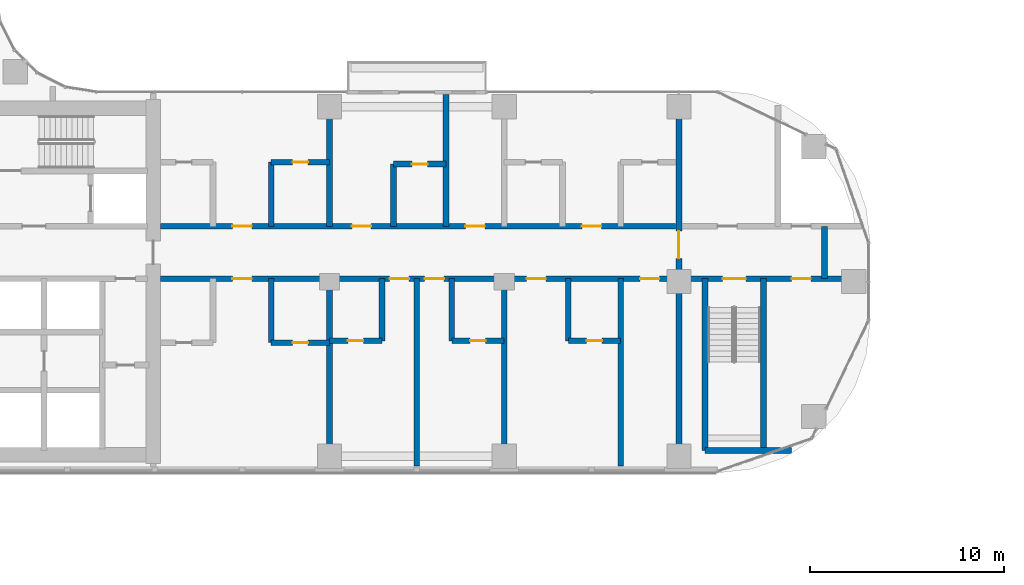
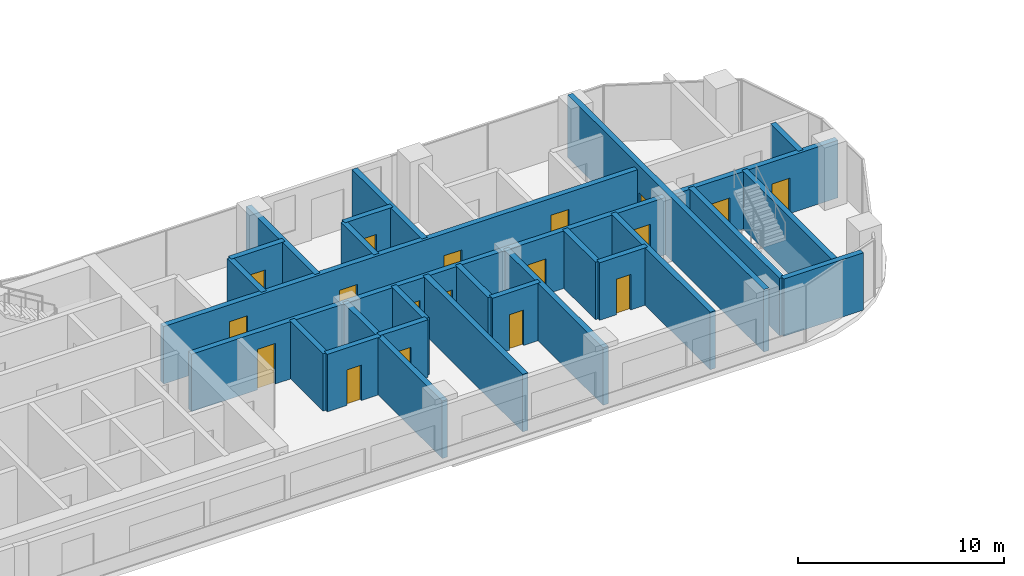
# One storey, part 20 of 35: 26 walls, 18 doors, 18 openings.
"""IFC4 building model written with IfcOpenShell, lengths in metres."""

from ifc_helpers import new_model, si_unit, direction, frame, frame_2d, origin, place, context, subcontext, project, spatial, rectangle, extrude, material, layer, layer_set, type_object, element, fill, save


model = new_model("IFC4")

# Units and contexts
model_context = context("Model", 3, precision=1e-05, world=origin(), true_north=direction((0.0, 1.0)))
body_context = subcontext(model_context, "Body", "Model", "MODEL_VIEW")
ifc_project = project(units=[si_unit("LENGTHUNIT", "METRE"), si_unit("AREAUNIT", "SQUARE_METRE"), si_unit("VOLUMEUNIT", "CUBIC_METRE"), si_unit("PLANEANGLEUNIT", "RADIAN"), si_unit("MASSUNIT", "GRAM", prefix="KILO")], contexts=[model_context])

# Site, building, storey
site_placement = place(None, origin())
site = spatial("IfcSite", under=ifc_project, at=site_placement, CompositionType="ELEMENT")
building_placement = place(site_placement, origin())
building = spatial("IfcBuilding", under=site, at=building_placement, Name="Ogive Portal Towers", CompositionType="ELEMENT")
storey_placement = place(building_placement, frame((0.0, 0.0, 90.800048828125)))
storey = spatial("IfcBuildingStorey", under=building, at=storey_placement, Name="L21", CompositionType="ELEMENT", Elevation=90.800048828125)

# Wall, opening, door
ifc_material_1 = material(Name="Concrete C60/75", Category="concrete")
ifc_layer_1 = layer(ifc_material_1, 0.300048828125)
ifc_layer_set_1 = layer_set([ifc_layer_1], Name="REVEAL WALL 300 C60")
wall_type_1 = type_object("IfcWallType", Name="REVEAL WALL 300 C60", PredefinedType="SHEAR", material=ifc_layer_set_1)
wall_1_placement = place(storey_placement, frame((85.5, 20.9951171875, 0.0), z_axis=(0.0, 0.0, 1.0), x_axis=(0.0, 1.0, 0.0)))
wall_1 = element("IfcWall", 1, at=wall_1_placement, inside=storey, type_object=wall_type_1, Name="Portal reveal wall L21", PredefinedType="SHEAR", context=body_context, shape_type="SweptSolid", body=[
    extrude(rectangle(XDim=19.009765625, YDim=0.300048828125, at=frame_2d((9.5048828125, 0.0))), origin(), (0.0, 0.0, 1.0), 3.699951171875),
])
opening_1_placement = place(wall_1_placement, frame((10.705078125, 0.0, 0.0)))
opening_1 = element("IfcOpeningElement", 2, at=opening_1_placement, cuts=wall_1, Name="Opening D07-066", PredefinedType="OPENING", context=body_context, shape_type="SweptSolid", body=[
    extrude(rectangle(XDim=1.39990234375, YDim=2.10009765625, at=frame_2d((0.699951171875, 1.050048828125))), frame((0.0, 0.16015625, 0.0), z_axis=(0.0, -1.0, 0.0), x_axis=(1.0, 0.0, 0.0)), (0.0, 0.0, 1.0), 0.320068359375),
])
ifc_material_2 = material(Name="Steel fire door", Category="steel")
door_type_1 = type_object("IfcDoorType", Name="DT-STAIR-1400x2100-FD90S", OperationType="SINGLE_SWING_LEFT", PredefinedType="DOOR", material=ifc_material_2)
door_1_placement = place(opening_1_placement, origin())
door_1 = element("IfcDoor", 3, at=door_1_placement, inside=storey, type_object=door_type_1, Name="Door D07-066", OperationType="SINGLE_SWING_RIGHT", OverallHeight=2.10009765625, OverallWidth=1.39990234375, PredefinedType="DOOR", context=body_context, shape_type="SweptSolid", body=[
    extrude(rectangle(XDim=1.39990234375, YDim=2.10009765625, at=frame_2d((0.699951171875, 1.050048828125))), frame((0.0, 0.02490234375, 0.0), z_axis=(0.0, -1.0, 0.0), x_axis=(1.0, 0.0, 0.0)), (0.0, 0.0, 1.0), 0.050048828125),
])
fill(opening_1, door_1)

# Wall
ifc_material_3 = material(Name="Concrete C50/60", Category="concrete")
ifc_layer_2 = layer(ifc_material_3, 0.300048828125)
ifc_layer_set_2 = layer_set([ifc_layer_2], Name="STAIR WALL 300 C50")
wall_type_2 = type_object("IfcWallType", Name="STAIR WALL 300 C50", PredefinedType="SHEAR", material=ifc_layer_set_2)
wall_2_placement = place(storey_placement, frame((86.85009765625, 21.800048828125, 0.0), z_axis=(0.0, 0.0, 1.0), x_axis=(1.0, 0.0, 0.0)))
element("IfcWall", 4, at=wall_2_placement, inside=storey, type_object=wall_type_2, Name="Stair wall ST-A4 L21", PredefinedType="SHEAR", context=body_context, shape_type="SweptSolid", body=[
    extrude(rectangle(XDim=4.4599609375, YDim=0.300048828125, at=frame_2d((2.22998046875, 0.0))), origin(), (0.0, 0.0, 1.0), 3.39990234375),
])

# Wall, openings, doors
wall_3_placement = place(storey_placement, frame((85.669921875, 30.64990234375, 0.0), z_axis=(0.0, 0.0, 1.0), x_axis=(1.0, 0.0, 0.0)))
wall_3 = element("IfcWall", 5, at=wall_3_placement, inside=storey, type_object=wall_type_2, Name="Stair wall ST-A4 L21", PredefinedType="SHEAR", context=body_context, shape_type="SweptSolid", body=[
    extrude(rectangle(XDim=9.3349609375, YDim=0.300048828125, at=frame_2d((4.66748046875, 0.0))), origin(), (0.0, 0.0, 1.0), 3.39990234375),
])
opening_2_placement = place(wall_3_placement, frame((2.080078125, 0.0, 0.0)))
opening_2 = element("IfcOpeningElement", 6, at=opening_2_placement, cuts=wall_3, Name="Opening D07-061", PredefinedType="OPENING", context=body_context, shape_type="SweptSolid", body=[
    extrude(rectangle(XDim=1.199951171875, YDim=2.10009765625, at=frame_2d((0.60009765625, 1.050048828125))), frame((0.0, 0.16015625, 0.0), z_axis=(0.0, -1.0, 0.0), x_axis=(1.0, 0.0, 0.0)), (0.0, 0.0, 1.0), 0.320068359375),
])
opening_3_placement = place(wall_3_placement, frame((5.6298828125, 0.0, 0.0)))
opening_3 = element("IfcOpeningElement", 7, at=opening_3_placement, cuts=wall_3, Name="Opening D07-064", PredefinedType="OPENING", context=body_context, shape_type="SweptSolid", body=[
    extrude(rectangle(XDim=1.0, YDim=2.10009765625, at=frame_2d((0.5, 1.050048828125))), frame((0.0, 0.16015625, 0.0), z_axis=(0.0, -1.0, 0.0), x_axis=(1.0, 0.0, 0.0)), (0.0, 0.0, 1.0), 0.320068359375),
])
door_type_2 = type_object("IfcDoorType", Name="DT-SERVICE-1000x2100-FD90S", OperationType="SINGLE_SWING_LEFT", PredefinedType="DOOR", material=ifc_material_2)
door_2_placement = place(opening_3_placement, origin())
door_2 = element("IfcDoor", 8, at=door_2_placement, inside=storey, type_object=door_type_2, Name="Door D07-064", OperationType="SINGLE_SWING_LEFT", OverallHeight=2.10009765625, OverallWidth=1.0, PredefinedType="DOOR", context=body_context, shape_type="SweptSolid", body=[
    extrude(rectangle(XDim=1.0, YDim=2.10009765625, at=frame_2d((0.5, 1.050048828125))), frame((0.0, 0.02490234375, 0.0), z_axis=(0.0, -1.0, 0.0), x_axis=(1.0, 0.0, 0.0)), (0.0, 0.0, 1.0), 0.050048828125),
])
fill(opening_3, door_2)
door_type_3 = type_object("IfcDoorType", Name="DT-STAIR-1200x2100-FD90S", OperationType="SINGLE_SWING_LEFT", PredefinedType="DOOR", material=ifc_material_2)
door_3_placement = place(opening_2_placement, origin())
door_3 = element("IfcDoor", 9, at=door_3_placement, inside=storey, type_object=door_type_3, Name="Door D07-061", OperationType="SINGLE_SWING_LEFT", OverallHeight=2.10009765625, OverallWidth=1.199951171875, PredefinedType="DOOR", context=body_context, shape_type="SweptSolid", body=[
    extrude(rectangle(XDim=1.199951171875, YDim=2.10009765625, at=frame_2d((0.60009765625, 1.050048828125))), frame((0.0, 0.02490234375, 0.0), z_axis=(0.0, -1.0, 0.0), x_axis=(1.0, 0.0, 0.0)), (0.0, 0.0, 1.0), 0.050048828125),
])
fill(opening_2, door_3)

# Walls
for number, where, z_axis, x_axis, name in (
    (10, (86.85009765625, 21.800048828125, 0.0), (0.0, 0.0, 1.0), (0.0, 1.0, 0.0), "Stair wall ST-A4 L21"),
    (11, (89.85009765625, 21.800048828125, 0.0), (0.0, 0.0, 1.0), (0.0, 1.0, 0.0), "Stair wall ST-A4 L21"),
):
    element("IfcWall", number, at=place(storey_placement, frame(where, z_axis=z_axis, x_axis=x_axis)), inside=storey, type_object=wall_type_2, Name=name, PredefinedType="SHEAR", context=body_context, shape_type="SweptSolid", body=[
        extrude(rectangle(XDim=8.849853515625, YDim=0.300048828125, at=frame_2d((4.4248046875, 0.0))), origin(), (0.0, 0.0, 1.0), 3.39990234375),
    ])

# Wall, openings, doors
ifc_material_4 = material(Name="Gypsum board partition on steel studs", Category="steel")
ifc_layer_3 = layer(ifc_material_4, 0.300048828125)
ifc_layer_set_3 = layer_set([ifc_layer_3], Name="WT-PART-300-EI 120")
wall_type_3 = type_object("IfcWallType", Name="WT-PART-300-EI 120", PredefinedType="PARTITIONING", material=ifc_layer_set_3)
wall_4_placement = place(storey_placement, frame((58.800048828125, 30.64990234375, 0.0), z_axis=(0.0, 0.0, 1.0), x_axis=(1.0, 0.0, 0.0)))
wall_4 = element("IfcWall", 12, at=wall_4_placement, inside=storey, type_object=wall_type_3, Name="Wall L21:w007", PredefinedType="PARTITIONING", context=body_context, shape_type="SweptSolid", body=[
    extrude(rectangle(XDim=26.530029296875, YDim=0.300048828125, at=frame_2d((13.26513671875, 0.0))), origin(), (0.0, 0.0, 1.0), 3.39990234375),
])
opening_4_placement = place(wall_4_placement, frame((3.699951171875, 0.0, 0.0)))
opening_4 = element("IfcOpeningElement", 13, at=opening_4_placement, cuts=wall_4, Name="Opening D07-031", PredefinedType="OPENING", context=body_context, shape_type="SweptSolid", body=[
    extrude(rectangle(XDim=1.0, YDim=2.39990234375, at=frame_2d((0.5, 1.199951171875))), frame((0.0, 0.16015625, 0.0), z_axis=(0.0, -1.0, 0.0), x_axis=(1.0, 0.0, 0.0)), (0.0, 0.0, 1.0), 0.320068359375),
])
opening_5_placement = place(wall_4_placement, frame((11.800048828125, 0.0, 0.0)))
opening_5 = element("IfcOpeningElement", 14, at=opening_5_placement, cuts=wall_4, Name="Opening D07-036", PredefinedType="OPENING", context=body_context, shape_type="SweptSolid", body=[
    extrude(rectangle(XDim=1.0, YDim=2.10009765625, at=frame_2d((0.5, 1.050048828125))), frame((0.0, 0.16015625, 0.0), z_axis=(0.0, -1.0, 0.0), x_axis=(1.0, 0.0, 0.0)), (0.0, 0.0, 1.0), 0.320068359375),
])
opening_6_placement = place(wall_4_placement, frame((13.60009765625, 0.0, 0.0)))
opening_6 = element("IfcOpeningElement", 15, at=opening_6_placement, cuts=wall_4, Name="Opening D07-038", PredefinedType="OPENING", context=body_context, shape_type="SweptSolid", body=[
    extrude(rectangle(XDim=1.0, YDim=2.10009765625, at=frame_2d((0.5, 1.050048828125))), frame((0.0, 0.16015625, 0.0), z_axis=(0.0, -1.0, 0.0), x_axis=(1.0, 0.0, 0.0)), (0.0, 0.0, 1.0), 0.320068359375),
])
opening_7_placement = place(wall_4_placement, frame((18.85009765625, 0.0, 0.0)))
opening_7 = element("IfcOpeningElement", 16, at=opening_7_placement, cuts=wall_4, Name="Opening D07-043", PredefinedType="OPENING", context=body_context, shape_type="SweptSolid", body=[
    extrude(rectangle(XDim=1.0, YDim=2.10009765625, at=frame_2d((0.5, 1.050048828125))), frame((0.0, 0.16015625, 0.0), z_axis=(0.0, -1.0, 0.0), x_axis=(1.0, 0.0, 0.0)), (0.0, 0.0, 1.0), 0.320068359375),
])
opening_8_placement = place(wall_4_placement, frame((24.699951171875, 0.0, 0.0)))
opening_8 = element("IfcOpeningElement", 17, at=opening_8_placement, cuts=wall_4, Name="Opening D07-044", PredefinedType="OPENING", context=body_context, shape_type="SweptSolid", body=[
    extrude(rectangle(XDim=1.0, YDim=2.10009765625, at=frame_2d((0.5, 1.050048828125))), frame((0.0, 0.16015625, 0.0), z_axis=(0.0, -1.0, 0.0), x_axis=(1.0, 0.0, 0.0)), (0.0, 0.0, 1.0), 0.320068359375),
])
door_type_4 = type_object("IfcDoorType", Name="DT-ENTRY-1000x2100-FD90S", OperationType="SINGLE_SWING_LEFT", PredefinedType="DOOR", material=ifc_material_2)
door_4_placement = place(opening_5_placement, origin())
door_4 = element("IfcDoor", 18, at=door_4_placement, inside=storey, type_object=door_type_4, Name="Door D07-036", OperationType="SINGLE_SWING_LEFT", OverallHeight=2.10009765625, OverallWidth=1.0, PredefinedType="DOOR", context=body_context, shape_type="SweptSolid", body=[
    extrude(rectangle(XDim=1.0, YDim=2.10009765625, at=frame_2d((0.5, 1.050048828125))), frame((0.0, 0.02490234375, 0.0), z_axis=(0.0, -1.0, 0.0), x_axis=(1.0, 0.0, 0.0)), (0.0, 0.0, 1.0), 0.050048828125),
])
fill(opening_5, door_4)
door_5_placement = place(opening_6_placement, origin())
door_5 = element("IfcDoor", 19, at=door_5_placement, inside=storey, type_object=door_type_4, Name="Door D07-038", OperationType="SINGLE_SWING_RIGHT", OverallHeight=2.10009765625, OverallWidth=1.0, PredefinedType="DOOR", context=body_context, shape_type="SweptSolid", body=[
    extrude(rectangle(XDim=1.0, YDim=2.10009765625, at=frame_2d((0.5, 1.050048828125))), frame((0.0, 0.02490234375, 0.0), z_axis=(0.0, -1.0, 0.0), x_axis=(1.0, 0.0, 0.0)), (0.0, 0.0, 1.0), 0.050048828125),
])
fill(opening_6, door_5)
door_6_placement = place(opening_7_placement, origin())
door_6 = element("IfcDoor", 20, at=door_6_placement, inside=storey, type_object=door_type_4, Name="Door D07-043", OperationType="SINGLE_SWING_LEFT", OverallHeight=2.10009765625, OverallWidth=1.0, PredefinedType="DOOR", context=body_context, shape_type="SweptSolid", body=[
    extrude(rectangle(XDim=1.0, YDim=2.10009765625, at=frame_2d((0.5, 1.050048828125))), frame((0.0, 0.02490234375, 0.0), z_axis=(0.0, -1.0, 0.0), x_axis=(1.0, 0.0, 0.0)), (0.0, 0.0, 1.0), 0.050048828125),
])
fill(opening_7, door_6)
door_7_placement = place(opening_8_placement, origin())
door_7 = element("IfcDoor", 21, at=door_7_placement, inside=storey, type_object=door_type_4, Name="Door D07-044", OperationType="SINGLE_SWING_LEFT", OverallHeight=2.10009765625, OverallWidth=1.0, PredefinedType="DOOR", context=body_context, shape_type="SweptSolid", body=[
    extrude(rectangle(XDim=1.0, YDim=2.10009765625, at=frame_2d((0.5, 1.050048828125))), frame((0.0, 0.02490234375, 0.0), z_axis=(0.0, -1.0, 0.0), x_axis=(1.0, 0.0, 0.0)), (0.0, 0.0, 1.0), 0.050048828125),
])
fill(opening_8, door_7)
door_type_5 = type_object("IfcDoorType", Name="DT-ENTRY-1000x2400-FD90S", OperationType="SINGLE_SWING_LEFT", PredefinedType="DOOR", material=ifc_material_2)
door_8_placement = place(opening_4_placement, origin())
door_8 = element("IfcDoor", 22, at=door_8_placement, inside=storey, type_object=door_type_5, Name="Door D07-031", OperationType="SINGLE_SWING_LEFT", OverallHeight=2.39990234375, OverallWidth=1.0, PredefinedType="DOOR", context=body_context, shape_type="SweptSolid", body=[
    extrude(rectangle(XDim=1.0, YDim=2.39990234375, at=frame_2d((0.5, 1.199951171875))), frame((0.0, 0.02490234375, 0.0), z_axis=(0.0, -1.0, 0.0), x_axis=(1.0, 0.0, 0.0)), (0.0, 0.0, 1.0), 0.050048828125),
])
fill(opening_4, door_8)

wall_5_placement = place(storey_placement, frame((58.800048828125, 33.35009765625, 0.0), z_axis=(0.0, 0.0, 1.0), x_axis=(1.0, 0.0, 0.0)))
wall_5 = element("IfcWall", 23, at=wall_5_placement, inside=storey, type_object=wall_type_3, Name="Wall L21:w009", PredefinedType="PARTITIONING", context=body_context, shape_type="SweptSolid", body=[
    extrude(rectangle(XDim=26.530029296875, YDim=0.300048828125, at=frame_2d((13.26513671875, 0.0))), origin(), (0.0, 0.0, 1.0), 3.39990234375),
])
opening_9_placement = place(wall_5_placement, frame((3.699951171875, 0.0, 0.0)))
opening_9 = element("IfcOpeningElement", 24, at=opening_9_placement, cuts=wall_5, Name="Opening D07-028", PredefinedType="OPENING", context=body_context, shape_type="SweptSolid", body=[
    extrude(rectangle(XDim=1.0, YDim=2.39990234375, at=frame_2d((0.5, 1.199951171875))), frame((0.0, 0.16015625, 0.0), z_axis=(0.0, -1.0, 0.0), x_axis=(1.0, 0.0, 0.0)), (0.0, 0.0, 1.0), 0.320068359375),
])
opening_10_placement = place(wall_5_placement, frame((9.85009765625, 0.0, 0.0)))
opening_10 = element("IfcOpeningElement", 25, at=opening_10_placement, cuts=wall_5, Name="Opening D07-033", PredefinedType="OPENING", context=body_context, shape_type="SweptSolid", body=[
    extrude(rectangle(XDim=1.0, YDim=2.10009765625, at=frame_2d((0.5, 1.050048828125))), frame((0.0, 0.16015625, 0.0), z_axis=(0.0, -1.0, 0.0), x_axis=(1.0, 0.0, 0.0)), (0.0, 0.0, 1.0), 0.320068359375),
])
opening_11_placement = place(wall_5_placement, frame((15.699951171875, 0.0, 0.0)))
opening_11 = element("IfcOpeningElement", 26, at=opening_11_placement, cuts=wall_5, Name="Opening D07-034", PredefinedType="OPENING", context=body_context, shape_type="SweptSolid", body=[
    extrude(rectangle(XDim=1.0, YDim=2.10009765625, at=frame_2d((0.5, 1.050048828125))), frame((0.0, 0.16015625, 0.0), z_axis=(0.0, -1.0, 0.0), x_axis=(1.0, 0.0, 0.0)), (0.0, 0.0, 1.0), 0.320068359375),
])
opening_12_placement = place(wall_5_placement, frame((21.699951171875, 0.0, 0.0)))
opening_12 = element("IfcOpeningElement", 27, at=opening_12_placement, cuts=wall_5, Name="Opening D07-041", PredefinedType="OPENING", context=body_context, shape_type="SweptSolid", body=[
    extrude(rectangle(XDim=1.0, YDim=2.39990234375, at=frame_2d((0.5, 1.199951171875))), frame((0.0, 0.16015625, 0.0), z_axis=(0.0, -1.0, 0.0), x_axis=(1.0, 0.0, 0.0)), (0.0, 0.0, 1.0), 0.320068359375),
])
door_9_placement = place(opening_10_placement, origin())
door_9 = element("IfcDoor", 28, at=door_9_placement, inside=storey, type_object=door_type_4, Name="Door D07-033", OperationType="SINGLE_SWING_LEFT", OverallHeight=2.10009765625, OverallWidth=1.0, PredefinedType="DOOR", context=body_context, shape_type="SweptSolid", body=[
    extrude(rectangle(XDim=1.0, YDim=2.10009765625, at=frame_2d((0.5, 1.050048828125))), frame((0.0, 0.02490234375, 0.0), z_axis=(0.0, -1.0, 0.0), x_axis=(1.0, 0.0, 0.0)), (0.0, 0.0, 1.0), 0.050048828125),
])
fill(opening_10, door_9)
door_10_placement = place(opening_11_placement, origin())
door_10 = element("IfcDoor", 29, at=door_10_placement, inside=storey, type_object=door_type_4, Name="Door D07-034", OperationType="SINGLE_SWING_RIGHT", OverallHeight=2.10009765625, OverallWidth=1.0, PredefinedType="DOOR", context=body_context, shape_type="SweptSolid", body=[
    extrude(rectangle(XDim=1.0, YDim=2.10009765625, at=frame_2d((0.5, 1.050048828125))), frame((0.0, 0.02490234375, 0.0), z_axis=(0.0, -1.0, 0.0), x_axis=(1.0, 0.0, 0.0)), (0.0, 0.0, 1.0), 0.050048828125),
])
fill(opening_11, door_10)
door_11_placement = place(opening_9_placement, origin())
door_11 = element("IfcDoor", 30, at=door_11_placement, inside=storey, type_object=door_type_5, Name="Door D07-028", OperationType="SINGLE_SWING_LEFT", OverallHeight=2.39990234375, OverallWidth=1.0, PredefinedType="DOOR", context=body_context, shape_type="SweptSolid", body=[
    extrude(rectangle(XDim=1.0, YDim=2.39990234375, at=frame_2d((0.5, 1.199951171875))), frame((0.0, 0.02490234375, 0.0), z_axis=(0.0, -1.0, 0.0), x_axis=(1.0, 0.0, 0.0)), (0.0, 0.0, 1.0), 0.050048828125),
])
fill(opening_9, door_11)
door_12_placement = place(opening_12_placement, origin())
door_12 = element("IfcDoor", 31, at=door_12_placement, inside=storey, type_object=door_type_5, Name="Door D07-041", OperationType="SINGLE_SWING_LEFT", OverallHeight=2.39990234375, OverallWidth=1.0, PredefinedType="DOOR", context=body_context, shape_type="SweptSolid", body=[
    extrude(rectangle(XDim=1.0, YDim=2.39990234375, at=frame_2d((0.5, 1.199951171875))), frame((0.0, 0.02490234375, 0.0), z_axis=(0.0, -1.0, 0.0), x_axis=(1.0, 0.0, 0.0)), (0.0, 0.0, 1.0), 0.050048828125),
])
fill(opening_12, door_12)

# Wall
wall_6_placement = place(storey_placement, frame((93.0, 30.64990234375, 0.0), z_axis=(0.0, 0.0, 1.0), x_axis=(0.0, 1.0, 0.0)))
element("IfcWall", 32, at=wall_6_placement, inside=storey, type_object=wall_type_3, Name="Wall L21:w064", PredefinedType="PARTITIONING", context=body_context, shape_type="SweptSolid", body=[
    extrude(rectangle(XDim=2.7001953125, YDim=0.300048828125, at=frame_2d((1.35009765625, 0.0))), origin(), (0.0, 0.0, 1.0), 3.39990234375),
])

# Wall, opening, door
ifc_layer_4 = layer(ifc_material_4, 0.300048828125)
ifc_layer_set_4 = layer_set([ifc_layer_4], Name="WT-PART-300-EI 60")
wall_type_4 = type_object("IfcWallType", Name="WT-PART-300-EI 60", PredefinedType="PARTITIONING", material=ifc_layer_set_4)
wall_7_placement = place(storey_placement, frame((64.5, 27.35009765625, 0.0), z_axis=(0.0, 0.0, 1.0), x_axis=(1.0, 0.0, 0.0)))
wall_7 = element("IfcWall", 33, at=wall_7_placement, inside=storey, type_object=wall_type_4, Name="Wall L21:w003", PredefinedType="PARTITIONING", context=body_context, shape_type="SweptSolid", body=[
    extrude(rectangle(XDim=3.0, YDim=0.300048828125, at=frame_2d((1.5, 0.0))), origin(), (0.0, 0.0, 1.0), 3.39990234375),
])
opening_13_placement = place(wall_7_placement, frame((1.10009765625, 0.0, 0.0)))
opening_13 = element("IfcOpeningElement", 34, at=opening_13_placement, cuts=wall_7, Name="Opening D07-030", PredefinedType="OPENING", context=body_context, shape_type="SweptSolid", body=[
    extrude(rectangle(XDim=0.800048828125, YDim=2.10009765625, at=frame_2d((0.39990234375, 1.050048828125))), frame((0.0, 0.16015625, 0.0), z_axis=(0.0, -1.0, 0.0), x_axis=(1.0, 0.0, 0.0)), (0.0, 0.0, 1.0), 0.320068359375),
])
door_type_6 = type_object("IfcDoorType", Name="DT-BATH-800x2100-FD60S", OperationType="SINGLE_SWING_LEFT", PredefinedType="DOOR", material=ifc_material_2)
door_13_placement = place(opening_13_placement, origin())
door_13 = element("IfcDoor", 35, at=door_13_placement, inside=storey, type_object=door_type_6, Name="Door D07-030", OperationType="SINGLE_SWING_RIGHT", OverallHeight=2.10009765625, OverallWidth=0.800048828125, PredefinedType="DOOR", context=body_context, shape_type="SweptSolid", body=[
    extrude(rectangle(XDim=0.800048828125, YDim=2.10009765625, at=frame_2d((0.39990234375, 1.050048828125))), frame((0.0, 0.02490234375, 0.0), z_axis=(0.0, -1.0, 0.0), x_axis=(1.0, 0.0, 0.0)), (0.0, 0.0, 1.0), 0.050048828125),
])
fill(opening_13, door_13)

wall_8_placement = place(storey_placement, frame((67.5, 27.449951171875, 0.0), z_axis=(0.0, 0.0, 1.0), x_axis=(1.0, 0.0, 0.0)))
wall_8 = element("IfcWall", 36, at=wall_8_placement, inside=storey, type_object=wall_type_4, Name="Wall L21:w004", PredefinedType="PARTITIONING", context=body_context, shape_type="SweptSolid", body=[
    extrude(rectangle(XDim=2.699951171875, YDim=0.300048828125, at=frame_2d((1.35009765625, 0.0))), origin(), (0.0, 0.0, 1.0), 3.39990234375),
])
opening_14_placement = place(wall_8_placement, frame((0.949951171875, 0.0, 0.0)))
opening_14 = element("IfcOpeningElement", 37, at=opening_14_placement, cuts=wall_8, Name="Opening D07-035", PredefinedType="OPENING", context=body_context, shape_type="SweptSolid", body=[
    extrude(rectangle(XDim=0.800048828125, YDim=2.10009765625, at=frame_2d((0.39990234375, 1.050048828125))), frame((0.0, 0.16015625, 0.0), z_axis=(0.0, -1.0, 0.0), x_axis=(1.0, 0.0, 0.0)), (0.0, 0.0, 1.0), 0.320068359375),
])
door_14_placement = place(opening_14_placement, origin())
door_14 = element("IfcDoor", 38, at=door_14_placement, inside=storey, type_object=door_type_6, Name="Door D07-035", OperationType="SINGLE_SWING_LEFT", OverallHeight=2.10009765625, OverallWidth=0.800048828125, PredefinedType="DOOR", context=body_context, shape_type="SweptSolid", body=[
    extrude(rectangle(XDim=0.800048828125, YDim=2.10009765625, at=frame_2d((0.39990234375, 1.050048828125))), frame((0.0, 0.02490234375, 0.0), z_axis=(0.0, -1.0, 0.0), x_axis=(1.0, 0.0, 0.0)), (0.0, 0.0, 1.0), 0.050048828125),
])
fill(opening_14, door_14)

wall_9_placement = place(storey_placement, frame((73.800048828125, 27.449951171875, 0.0), z_axis=(0.0, 0.0, 1.0), x_axis=(1.0, 0.0, 0.0)))
wall_9 = element("IfcWall", 39, at=wall_9_placement, inside=storey, type_object=wall_type_4, Name="Wall L21:w005", PredefinedType="PARTITIONING", context=body_context, shape_type="SweptSolid", body=[
    extrude(rectangle(XDim=2.699951171875, YDim=0.300048828125, at=frame_2d((1.35009765625, 0.0))), origin(), (0.0, 0.0, 1.0), 3.39990234375),
])
opening_15_placement = place(wall_9_placement, frame((0.949951171875, 0.0, 0.0)))
opening_15 = element("IfcOpeningElement", 40, at=opening_15_placement, cuts=wall_9, Name="Opening D07-037", PredefinedType="OPENING", context=body_context, shape_type="SweptSolid", body=[
    extrude(rectangle(XDim=0.800048828125, YDim=2.10009765625, at=frame_2d((0.39990234375, 1.050048828125))), frame((0.0, 0.16015625, 0.0), z_axis=(0.0, -1.0, 0.0), x_axis=(1.0, 0.0, 0.0)), (0.0, 0.0, 1.0), 0.320068359375),
])
door_15_placement = place(opening_15_placement, origin())
door_15 = element("IfcDoor", 41, at=door_15_placement, inside=storey, type_object=door_type_6, Name="Door D07-037", OperationType="SINGLE_SWING_LEFT", OverallHeight=2.10009765625, OverallWidth=0.800048828125, PredefinedType="DOOR", context=body_context, shape_type="SweptSolid", body=[
    extrude(rectangle(XDim=0.800048828125, YDim=2.10009765625, at=frame_2d((0.39990234375, 1.050048828125))), frame((0.0, 0.02490234375, 0.0), z_axis=(0.0, -1.0, 0.0), x_axis=(1.0, 0.0, 0.0)), (0.0, 0.0, 1.0), 0.050048828125),
])
fill(opening_15, door_15)

wall_10_placement = place(storey_placement, frame((79.800048828125, 27.449951171875, 0.0), z_axis=(0.0, 0.0, 1.0), x_axis=(1.0, 0.0, 0.0)))
wall_10 = element("IfcWall", 42, at=wall_10_placement, inside=storey, type_object=wall_type_4, Name="Wall L21:w006", PredefinedType="PARTITIONING", context=body_context, shape_type="SweptSolid", body=[
    extrude(rectangle(XDim=2.699951171875, YDim=0.300048828125, at=frame_2d((1.35009765625, 0.0))), origin(), (0.0, 0.0, 1.0), 3.39990234375),
])
opening_16_placement = place(wall_10_placement, frame((0.949951171875, 0.0, 0.0)))
opening_16 = element("IfcOpeningElement", 43, at=opening_16_placement, cuts=wall_10, Name="Opening D07-042", PredefinedType="OPENING", context=body_context, shape_type="SweptSolid", body=[
    extrude(rectangle(XDim=0.800048828125, YDim=2.10009765625, at=frame_2d((0.39990234375, 1.050048828125))), frame((0.0, 0.16015625, 0.0), z_axis=(0.0, -1.0, 0.0), x_axis=(1.0, 0.0, 0.0)), (0.0, 0.0, 1.0), 0.320068359375),
])
door_16_placement = place(opening_16_placement, origin())
door_16 = element("IfcDoor", 44, at=door_16_placement, inside=storey, type_object=door_type_6, Name="Door D07-042", OperationType="SINGLE_SWING_RIGHT", OverallHeight=2.10009765625, OverallWidth=0.800048828125, PredefinedType="DOOR", context=body_context, shape_type="SweptSolid", body=[
    extrude(rectangle(XDim=0.800048828125, YDim=2.10009765625, at=frame_2d((0.39990234375, 1.050048828125))), frame((0.0, 0.02490234375, 0.0), z_axis=(0.0, -1.0, 0.0), x_axis=(1.0, 0.0, 0.0)), (0.0, 0.0, 1.0), 0.050048828125),
])
fill(opening_16, door_16)

wall_11_placement = place(storey_placement, frame((70.800048828125, 36.550048828125, 0.0), z_axis=(0.0, 0.0, 1.0), x_axis=(1.0, 0.0, 0.0)))
wall_11 = element("IfcWall", 45, at=wall_11_placement, inside=storey, type_object=wall_type_4, Name="Wall L21:w011", PredefinedType="PARTITIONING", context=body_context, shape_type="SweptSolid", body=[
    extrude(rectangle(XDim=2.699951171875, YDim=0.300048828125, at=frame_2d((1.35009765625, 0.0))), origin(), (0.0, 0.0, 1.0), 3.39990234375),
])
opening_17_placement = place(wall_11_placement, frame((0.949951171875, 0.0, 0.0)))
opening_17 = element("IfcOpeningElement", 46, at=opening_17_placement, cuts=wall_11, Name="Opening D07-032", PredefinedType="OPENING", context=body_context, shape_type="SweptSolid", body=[
    extrude(rectangle(XDim=0.800048828125, YDim=2.10009765625, at=frame_2d((0.39990234375, 1.050048828125))), frame((0.0, 0.16015625, 0.0), z_axis=(0.0, -1.0, 0.0), x_axis=(1.0, 0.0, 0.0)), (0.0, 0.0, 1.0), 0.320068359375),
])
door_17_placement = place(opening_17_placement, origin())
door_17 = element("IfcDoor", 47, at=door_17_placement, inside=storey, type_object=door_type_6, Name="Door D07-032", OperationType="SINGLE_SWING_LEFT", OverallHeight=2.10009765625, OverallWidth=0.800048828125, PredefinedType="DOOR", context=body_context, shape_type="SweptSolid", body=[
    extrude(rectangle(XDim=0.800048828125, YDim=2.10009765625, at=frame_2d((0.39990234375, 1.050048828125))), frame((0.0, 0.02490234375, 0.0), z_axis=(0.0, -1.0, 0.0), x_axis=(1.0, 0.0, 0.0)), (0.0, 0.0, 1.0), 0.050048828125),
])
fill(opening_17, door_17)

wall_12_placement = place(storey_placement, frame((64.5, 36.64990234375, 0.0), z_axis=(0.0, 0.0, 1.0), x_axis=(1.0, 0.0, 0.0)))
wall_12 = element("IfcWall", 48, at=wall_12_placement, inside=storey, type_object=wall_type_4, Name="Wall L21:w013", PredefinedType="PARTITIONING", context=body_context, shape_type="SweptSolid", body=[
    extrude(rectangle(XDim=3.0, YDim=0.300048828125, at=frame_2d((1.5, 0.0))), origin(), (0.0, 0.0, 1.0), 3.39990234375),
])
opening_18_placement = place(wall_12_placement, frame((1.10009765625, 0.0, 0.0)))
opening_18 = element("IfcOpeningElement", 49, at=opening_18_placement, cuts=wall_12, Name="Opening D07-027", PredefinedType="OPENING", context=body_context, shape_type="SweptSolid", body=[
    extrude(rectangle(XDim=0.800048828125, YDim=2.10009765625, at=frame_2d((0.39990234375, 1.050048828125))), frame((0.0, 0.16015625, 0.0), z_axis=(0.0, -1.0, 0.0), x_axis=(1.0, 0.0, 0.0)), (0.0, 0.0, 1.0), 0.320068359375),
])
door_18_placement = place(opening_18_placement, origin())
door_18 = element("IfcDoor", 50, at=door_18_placement, inside=storey, type_object=door_type_6, Name="Door D07-027", OperationType="SINGLE_SWING_RIGHT", OverallHeight=2.10009765625, OverallWidth=0.800048828125, PredefinedType="DOOR", context=body_context, shape_type="SweptSolid", body=[
    extrude(rectangle(XDim=0.800048828125, YDim=2.10009765625, at=frame_2d((0.39990234375, 1.050048828125))), frame((0.0, 0.02490234375, 0.0), z_axis=(0.0, -1.0, 0.0), x_axis=(1.0, 0.0, 0.0)), (0.0, 0.0, 1.0), 0.050048828125),
])
fill(opening_18, door_18)

# Walls
for number, where, z_axis, x_axis, name in (
    (51, (64.5, 27.35009765625, 0.0), (0.0, 0.0, 1.0), (0.0, 1.0, 0.0), "Wall L21:w046"),
    (52, (64.5, 33.35009765625, 0.0), (0.0, 0.0, 1.0), (0.0, 1.0, 0.0), "Wall L21:w047"),
):
    element("IfcWall", number, at=place(storey_placement, frame(where, z_axis=z_axis, x_axis=x_axis)), inside=storey, type_object=wall_type_4, Name=name, PredefinedType="PARTITIONING", context=body_context, shape_type="SweptSolid", body=[
        extrude(rectangle(XDim=3.2998046875, YDim=0.300048828125, at=frame_2d((1.64990234375, 0.0))), origin(), (0.0, 0.0, 1.0), 3.39990234375),
    ])
wall_13_placement = place(storey_placement, frame((67.5, 20.9951171875, 0.0), z_axis=(0.0, 0.0, 1.0), x_axis=(0.0, 1.0, 0.0)))
element("IfcWall", 53, at=wall_13_placement, inside=storey, type_object=wall_type_4, Name="Wall L21:w048", PredefinedType="PARTITIONING", context=body_context, shape_type="SweptSolid", body=[
    extrude(rectangle(XDim=9.65478515625, YDim=0.300048828125, at=frame_2d((4.827392578125, 0.0))), origin(), (0.0, 0.0, 1.0), 3.39990234375),
])
wall_14_placement = place(storey_placement, frame((67.5, 33.35009765625, 0.0), z_axis=(0.0, 0.0, 1.0), x_axis=(0.0, 1.0, 0.0)))
element("IfcWall", 54, at=wall_14_placement, inside=storey, type_object=wall_type_4, Name="Wall L21:w049", PredefinedType="PARTITIONING", context=body_context, shape_type="SweptSolid", body=[
    extrude(rectangle(XDim=6.65478515625, YDim=0.300048828125, at=frame_2d((3.327392578125, 0.0))), origin(), (0.0, 0.0, 1.0), 3.39990234375),
])
for number, where, z_axis, x_axis, name in (
    (55, (70.199951171875, 27.449951171875, 0.0), (0.0, 0.0, 1.0), (0.0, 1.0, 0.0), "Wall L21:w050"),
    (56, (70.800048828125, 33.35009765625, 0.0), (0.0, 0.0, 1.0), (0.0, 1.0, 0.0), "Wall L21:w051"),
):
    element("IfcWall", number, at=place(storey_placement, frame(where, z_axis=z_axis, x_axis=x_axis)), inside=storey, type_object=wall_type_4, Name=name, PredefinedType="PARTITIONING", context=body_context, shape_type="SweptSolid", body=[
        extrude(rectangle(XDim=3.199951171875, YDim=0.300048828125, at=frame_2d((1.60009765625, 0.0))), origin(), (0.0, 0.0, 1.0), 3.39990234375),
    ])
wall_15_placement = place(storey_placement, frame((72.0, 20.9951171875, 0.0), z_axis=(0.0, 0.0, 1.0), x_axis=(0.0, 1.0, 0.0)))
element("IfcWall", 57, at=wall_15_placement, inside=storey, type_object=wall_type_4, Name="Wall L21:w052", PredefinedType="PARTITIONING", context=body_context, shape_type="SweptSolid", body=[
    extrude(rectangle(XDim=9.65478515625, YDim=0.300048828125, at=frame_2d((4.827392578125, 0.0))), origin(), (0.0, 0.0, 1.0), 3.39990234375),
])
wall_16_placement = place(storey_placement, frame((73.5, 33.35009765625, 0.0), z_axis=(0.0, 0.0, 1.0), x_axis=(0.0, 1.0, 0.0)))
element("IfcWall", 58, at=wall_16_placement, inside=storey, type_object=wall_type_4, Name="Wall L21:w053", PredefinedType="PARTITIONING", context=body_context, shape_type="SweptSolid", body=[
    extrude(rectangle(XDim=6.794921875, YDim=0.300048828125, at=frame_2d((3.3974609375, 0.0))), origin(), (0.0, 0.0, 1.0), 3.39990234375),
])
wall_17_placement = place(storey_placement, frame((73.800048828125, 27.449951171875, 0.0), z_axis=(0.0, 0.0, 1.0), x_axis=(0.0, 1.0, 0.0)))
element("IfcWall", 59, at=wall_17_placement, inside=storey, type_object=wall_type_4, Name="Wall L21:w054", PredefinedType="PARTITIONING", context=body_context, shape_type="SweptSolid", body=[
    extrude(rectangle(XDim=3.199951171875, YDim=0.300048828125, at=frame_2d((1.60009765625, 0.0))), origin(), (0.0, 0.0, 1.0), 3.39990234375),
])
wall_18_placement = place(storey_placement, frame((76.5, 20.9951171875, 0.0), z_axis=(0.0, 0.0, 1.0), x_axis=(0.0, 1.0, 0.0)))
element("IfcWall", 60, at=wall_18_placement, inside=storey, type_object=wall_type_4, Name="Wall L21:w055", PredefinedType="PARTITIONING", context=body_context, shape_type="SweptSolid", body=[
    extrude(rectangle(XDim=9.65478515625, YDim=0.300048828125, at=frame_2d((4.827392578125, 0.0))), origin(), (0.0, 0.0, 1.0), 3.39990234375),
])
wall_19_placement = place(storey_placement, frame((79.800048828125, 27.449951171875, 0.0), z_axis=(0.0, 0.0, 1.0), x_axis=(0.0, 1.0, 0.0)))
element("IfcWall", 61, at=wall_19_placement, inside=storey, type_object=wall_type_4, Name="Wall L21:w058", PredefinedType="PARTITIONING", context=body_context, shape_type="SweptSolid", body=[
    extrude(rectangle(XDim=3.199951171875, YDim=0.300048828125, at=frame_2d((1.60009765625, 0.0))), origin(), (0.0, 0.0, 1.0), 3.39990234375),
])
wall_20_placement = place(storey_placement, frame((82.5, 20.9951171875, 0.0), z_axis=(0.0, 0.0, 1.0), x_axis=(0.0, 1.0, 0.0)))
element("IfcWall", 62, at=wall_20_placement, inside=storey, type_object=wall_type_4, Name="Wall L21:w059", PredefinedType="PARTITIONING", context=body_context, shape_type="SweptSolid", body=[
    extrude(rectangle(XDim=9.65478515625, YDim=0.300048828125, at=frame_2d((4.827392578125, 0.0))), origin(), (0.0, 0.0, 1.0), 3.39990234375),
])

save(model, "model.ifc")
